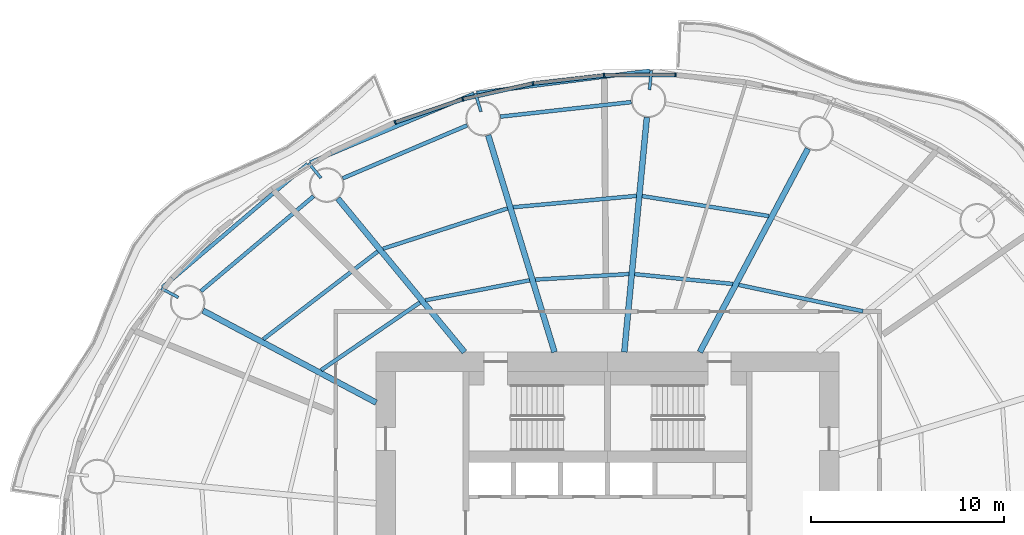
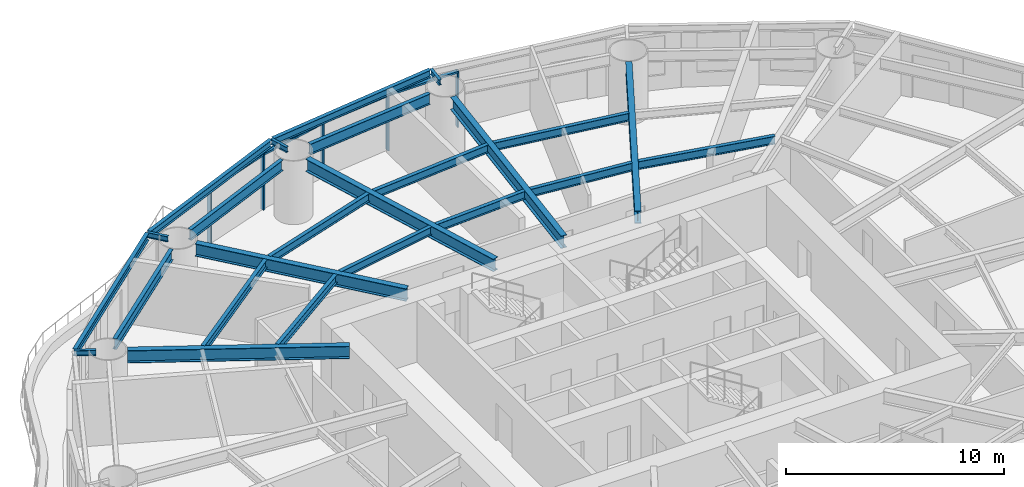
# One storey, part 5 of 16: 24 beams, 9 members, 4 elements without a shape of their own.
"""IFC4 building model written with IfcOpenShell, lengths in metres."""

from ifc_helpers import new_model, si_unit, direction, frame, origin, origin_2d, place, context, subcontext, project, spatial, rectangle, i_section, extrude, material, material_profile, profile_set, type_object, element, aggregate, save


model = new_model("IFC4")

# Units and contexts
model_context = context("Model", 3, precision=1e-05, world=origin(), true_north=direction((0.0, 1.0)))
body_context = subcontext(model_context, "Body", "Model", "MODEL_VIEW")
ifc_project = project(units=[si_unit("LENGTHUNIT", "METRE"), si_unit("AREAUNIT", "SQUARE_METRE"), si_unit("VOLUMEUNIT", "CUBIC_METRE"), si_unit("PLANEANGLEUNIT", "RADIAN"), si_unit("MASSUNIT", "GRAM", prefix="KILO")], contexts=[model_context])

# Site, building, storey
site_placement = place(None, origin())
site = spatial("IfcSite", under=ifc_project, at=site_placement, CompositionType="ELEMENT")
building_placement = place(site_placement, origin())
building = spatial("IfcBuilding", under=site, at=building_placement, Name="Vermilion Reach Broadcast Tower", CompositionType="ELEMENT")
storey_placement = place(building_placement, frame((0.0, 0.0, 73.0)))
storey = spatial("IfcBuildingStorey", under=building, at=storey_placement, Name="L15", CompositionType="ELEMENT", Elevation=73.0)

# Beams
ifc_material_1 = material(Name="Steel S355J2", Category="steel")
ifc_material_profile_1 = material_profile(ifc_material_1, i_section(OverallWidth=0.199951171875, OverallDepth=0.39990234375, WebThickness=0.008056640625, FlangeThickness=0.012939453125, at=origin_2d()), Name="S355J2 HN 400x200x8x13")
ifc_profile_set_1 = profile_set([ifc_material_profile_1], Name="Steel S355J2")
beam_type_1 = type_object("IfcBeamType", Name="EB1 HN 400x200x8x13", PredefinedType="BEAM", material=ifc_profile_set_1)
beam_1_placement = place(storey_placement, frame((-3.80810546875, 23.58837890625, 3.35009765625), z_axis=(-0.991822756074, -0.127622962412, 0.0), x_axis=(0.127622962412, -0.991822756074, 0.0)))
element("IfcBeam", 1, at=beam_1_placement, inside=storey, type_object=beam_type_1, Name="Edge beam EB1-04", PredefinedType="BEAM", context=body_context, shape_type="SweptSolid", body=[
    extrude(i_section(OverallWidth=0.199951171875, OverallDepth=0.39990234375, WebThickness=0.008056640625, FlangeThickness=0.012939453125, at=origin_2d()), origin(), (0.0, 0.0, 1.0), 9.05029296875),
])
beam_2_placement = place(storey_placement, frame((-12.929443359375, 22.39453125, 3.35009765625), z_axis=(-0.922099891015, -0.386951923357, 0.0), x_axis=(0.386951923357, -0.922099891015, 0.0)))
element("IfcBeam", 2, at=beam_2_placement, inside=storey, type_object=beam_type_1, Name="Edge beam EB1-05", PredefinedType="BEAM", context=body_context, shape_type="SweptSolid", body=[
    extrude(i_section(OverallWidth=0.199951171875, OverallDepth=0.39990234375, WebThickness=0.008056640625, FlangeThickness=0.012939453125, at=origin_2d()), origin(), (0.0, 0.0, 1.0), 9.21728515625),
])
beam_3_placement = place(storey_placement, frame((-21.55810546875, 18.7490234375, 3.35009765625), z_axis=(-0.762190525664, -0.647352765182, 0.0), x_axis=(0.647352765182, -0.762190525664, 0.0)))
element("IfcBeam", 3, at=beam_3_placement, inside=storey, type_object=beam_type_1, Name="Edge beam EB1-06", PredefinedType="BEAM", context=body_context, shape_type="SweptSolid", body=[
    extrude(i_section(OverallWidth=0.199951171875, OverallDepth=0.39990234375, WebThickness=0.008056640625, FlangeThickness=0.012939453125, at=origin_2d()), origin(), (0.0, 0.0, 1.0), 9.877197265625),
])
ifc_material_2 = material(Name="Steel S355J2", Category="steel")
ifc_material_profile_2 = material_profile(ifc_material_2, i_section(OverallWidth=0.300048828125, OverallDepth=0.699951171875, WebThickness=0.012939453125, FlangeThickness=0.02392578125, at=origin_2d()), Name="S355J2 HN 700x300x13x24")
ifc_profile_set_2 = profile_set([ifc_material_profile_2], Name="Steel S355J2")
beam_type_2 = type_object("IfcBeamType", Name="G1 HN 700x300x13x24", PredefinedType="BEAM", material=ifc_profile_set_2)
beam_4_placement = place(storey_placement, frame((-1.216552734375, 9.0, 3.199951171875), z_axis=(0.469312182262, 0.883032318537, 0.0), x_axis=(-0.883032318537, 0.469312182262, 0.0)))
element("IfcBeam", 4, at=beam_4_placement, inside=storey, type_object=beam_type_2, Name="Girder G1-03", PredefinedType="BEAM", context=body_context, shape_type="SweptSolid", body=[
    extrude(i_section(OverallWidth=0.300048828125, OverallDepth=0.699951171875, WebThickness=0.012939453125, FlangeThickness=0.02392578125, at=origin_2d()), origin(), (0.0, 0.0, 1.0), 11.94091796875),
])
beam_5_placement = place(storey_placement, frame((-5.135009765625, 9.0, 3.199951171875), z_axis=(0.09566673912, 0.995413419151, 0.0), x_axis=(-0.995413419151, 0.09566673912, 0.0)))
element("IfcBeam", 5, at=beam_5_placement, inside=storey, type_object=beam_type_2, Name="Girder G1-04", PredefinedType="BEAM", context=body_context, shape_type="SweptSolid", body=[
    extrude(i_section(OverallWidth=0.300048828125, OverallDepth=0.699951171875, WebThickness=0.012939453125, FlangeThickness=0.02392578125, at=origin_2d()), origin(), (0.0, 0.0, 1.0), 12.22412109375),
])
beam_6_placement = place(storey_placement, frame((-8.753173828125, 9.0, 3.199951171875), z_axis=(-0.292542302886, 0.95625258223, 0.0), x_axis=(-0.95625258223, -0.292542302886, 0.0)))
element("IfcBeam", 6, at=beam_6_placement, inside=storey, type_object=beam_type_2, Name="Girder G1-05", PredefinedType="BEAM", context=body_context, shape_type="SweptSolid", body=[
    extrude(i_section(OverallWidth=0.300048828125, OverallDepth=0.699951171875, WebThickness=0.012939453125, FlangeThickness=0.02392578125, at=origin_2d()), origin(), (0.0, 0.0, 1.0), 11.76220703125),
])
beam_7_placement = place(storey_placement, frame((-13.421630859375, 9.0, 3.199951171875), z_axis=(-0.636215165107, 0.77151167437, 0.0), x_axis=(-0.77151167437, -0.636215165107, 0.0)))
element("IfcBeam", 7, at=beam_7_placement, inside=storey, type_object=beam_type_2, Name="Girder G1-06", PredefinedType="BEAM", context=body_context, shape_type="SweptSolid", body=[
    extrude(i_section(OverallWidth=0.300048828125, OverallDepth=0.699951171875, WebThickness=0.012939453125, FlangeThickness=0.02392578125, at=origin_2d()), origin(), (0.0, 0.0, 1.0), 10.3251953125),
])
beam_8_placement = place(storey_placement, frame((-18.0, 6.3779296875, 3.199951171875), z_axis=(-0.883032139419, 0.469312519279, 0.0), x_axis=(-0.469312519279, -0.883032139419, 0.0)))
element("IfcBeam", 8, at=beam_8_placement, inside=storey, type_object=beam_type_2, Name="Girder G1-07", PredefinedType="BEAM", context=body_context, shape_type="SweptSolid", body=[
    extrude(i_section(OverallWidth=0.300048828125, OverallDepth=0.699951171875, WebThickness=0.012939453125, FlangeThickness=0.02392578125, at=origin_2d()), origin(), (0.0, 0.0, 1.0), 10.17529296875),
])
ifc_material_3 = material(Name="Steel S355J2", Category="steel")
ifc_material_profile_3 = material_profile(ifc_material_3, i_section(OverallWidth=0.14990234375, OverallDepth=0.300048828125, WebThickness=0.006591796875, FlangeThickness=0.009033203125, at=origin_2d()), Name="S355J2 HN 300x150x6.5x9")
ifc_profile_set_3 = profile_set([ifc_material_profile_3], Name="Steel S355J2")
beam_type_3 = type_object("IfcBeamType", Name="GS1 HN 300x150x6.5x9", PredefinedType="BEAM", material=ifc_profile_set_3)
beam_9_placement = place(storey_placement, frame((-3.82763671875, 22.602783203125, 3.39990234375), z_axis=(0.095707754417, 0.995409476419, 0.0), x_axis=(-0.995409476419, 0.095707754417, 0.0)))
element("IfcBeam", 9, at=beam_9_placement, inside=storey, type_object=beam_type_3, Name="Cantilever stub GS1-04", PredefinedType="BEAM", context=body_context, shape_type="SweptSolid", body=[
    extrude(i_section(OverallWidth=0.14990234375, OverallDepth=0.300048828125, WebThickness=0.006591796875, FlangeThickness=0.009033203125, at=origin_2d()), origin(), (0.0, 0.0, 1.0), 1.0),
])
beam_10_placement = place(storey_placement, frame((-12.5673828125, 21.467529296875, 3.39990234375), z_axis=(-0.292541120261, 0.956252944025, 0.0), x_axis=(-0.956252944025, -0.292541120261, 0.0)))
element("IfcBeam", 10, at=beam_10_placement, inside=storey, type_object=beam_type_3, Name="Cantilever stub GS1-05", PredefinedType="BEAM", context=body_context, shape_type="SweptSolid", body=[
    extrude(i_section(OverallWidth=0.14990234375, OverallDepth=0.300048828125, WebThickness=0.006591796875, FlangeThickness=0.009033203125, at=origin_2d()), origin(), (0.0, 0.0, 1.0), 0.999755859375),
])
beam_11_placement = place(storey_placement, frame((-20.86474609375, 18.02587890625, 3.39990234375), z_axis=(-0.636117850493, 0.77159191305, 0.0), x_axis=(-0.77159191305, -0.636117850493, 0.0)))
element("IfcBeam", 11, at=beam_11_placement, inside=storey, type_object=beam_type_3, Name="Cantilever stub GS1-06", PredefinedType="BEAM", context=body_context, shape_type="SweptSolid", body=[
    extrude(i_section(OverallWidth=0.14990234375, OverallDepth=0.300048828125, WebThickness=0.006591796875, FlangeThickness=0.009033203125, at=origin_2d()), origin(), (0.0, 0.0, 1.0), 1.000244140625),
])
beam_12_placement = place(storey_placement, frame((-28.264892578125, 11.83349609375, 3.39990234375), z_axis=(-0.883068299348, 0.469244476458, 0.0), x_axis=(-0.469244476458, -0.883068299348, 0.0)))
element("IfcBeam", 12, at=beam_12_placement, inside=storey, type_object=beam_type_3, Name="Cantilever stub GS1-07", PredefinedType="BEAM", context=body_context, shape_type="SweptSolid", body=[
    extrude(i_section(OverallWidth=0.14990234375, OverallDepth=0.300048828125, WebThickness=0.006591796875, FlangeThickness=0.009033203125, at=origin_2d()), origin(), (0.0, 0.0, 1.0), 1.0),
])
ifc_material_4 = material(Name="Steel S355J2", Category="steel")
ifc_material_profile_4 = material_profile(ifc_material_4, i_section(OverallWidth=0.199951171875, OverallDepth=0.60009765625, WebThickness=0.010986328125, FlangeThickness=0.01708984375, at=origin_2d()), Name="S355J2 HN 600x200x11x17")
ifc_profile_set_4 = profile_set([ifc_material_profile_4], Name="Steel S355J2")
beam_type_4 = type_object("IfcBeamType", Name="RB1 HN 600x200x11x17", PredefinedType="BEAM", material=ifc_profile_set_4)
beam_13_placement = place(storey_placement, frame((-4.77392578125, 21.964111328125, 3.25), z_axis=(-0.993851439324, -0.110721798009, 0.0), x_axis=(0.110721798009, -0.993851439324, 0.0)))
element("IfcBeam", 13, at=beam_13_placement, inside=storey, type_object=beam_type_4, Name="Ring beam RB1-04", PredefinedType="BEAM", context=body_context, shape_type="SweptSolid", body=[
    extrude(i_section(OverallWidth=0.199951171875, OverallDepth=0.60009765625, WebThickness=0.010986328125, FlangeThickness=0.01708984375, at=origin_2d()), origin(), (0.0, 0.0, 1.0), 6.8310546875),
])
beam_14_placement = place(storey_placement, frame((-13.28564453125, 20.755859375, 3.25), z_axis=(-0.920220846584, -0.391399531825, 0.0), x_axis=(0.391399531825, -0.920220846584, 0.0)))
element("IfcBeam", 14, at=beam_14_placement, inside=storey, type_object=beam_type_4, Name="Ring beam RB1-05", PredefinedType="BEAM", context=body_context, shape_type="SweptSolid", body=[
    extrude(i_section(OverallWidth=0.199951171875, OverallDepth=0.60009765625, WebThickness=0.010986328125, FlangeThickness=0.01708984375, at=origin_2d()), origin(), (0.0, 0.0, 1.0), 7.008544921875),
])
beam_15_placement = place(storey_placement, frame((-21.251220703125, 17.080322265625, 3.25), z_axis=(-0.764512441084, -0.6446089725, 0.0), x_axis=(0.6446089725, -0.764512441084, 0.0)))
element("IfcBeam", 15, at=beam_15_placement, inside=storey, type_object=beam_type_4, Name="Ring beam RB1-06", PredefinedType="BEAM", context=body_context, shape_type="SweptSolid", body=[
    extrude(i_section(OverallWidth=0.199951171875, OverallDepth=0.60009765625, WebThickness=0.010986328125, FlangeThickness=0.01708984375, at=origin_2d()), origin(), (0.0, 0.0, 1.0), 7.6396484375),
])
ifc_material_5 = material(Name="Steel S355J2", Category="steel")
ifc_material_profile_5 = material_profile(ifc_material_5, i_section(OverallWidth=0.199951171875, OverallDepth=0.449951171875, WebThickness=0.009033203125, FlangeThickness=0.013916015625, at=origin_2d()), Name="S355J2 HN 450x200x9x14")
ifc_profile_set_5 = profile_set([ifc_material_profile_5], Name="Steel S355J2")
beam_type_5 = type_object("IfcBeamType", Name="SB1 HN 450x200x9x14", PredefinedType="BEAM", material=ifc_profile_set_5)
beam_16_placement = place(storey_placement, frame((7.24560546875, 11.1171875, 3.324951171875), z_axis=(-0.978270372412, 0.207333254596, 0.0), x_axis=(-0.207333254596, -0.978270372412, 0.0)))
element("IfcBeam", 16, at=beam_16_placement, inside=storey, type_object=beam_type_5, Name="Secondary beam SB1-02-1", PredefinedType="BEAM", context=body_context, shape_type="SweptSolid", body=[
    extrude(i_section(OverallWidth=0.199951171875, OverallDepth=0.449951171875, WebThickness=0.009033203125, FlangeThickness=0.013916015625, at=origin_2d()), origin(), (0.0, 0.0, 1.0), 6.584716796875),
])
beam_17_placement = place(storey_placement, frame((0.490234375, 12.531005859375, 3.324951171875), z_axis=(-0.995010199331, 0.099773259079, 0.0), x_axis=(-0.099773259079, -0.995010199331, 0.0)))
element("IfcBeam", 17, at=beam_17_placement, inside=storey, type_object=beam_type_5, Name="Secondary beam SB1-03-1", PredefinedType="BEAM", context=body_context, shape_type="SweptSolid", body=[
    extrude(i_section(OverallWidth=0.199951171875, OverallDepth=0.449951171875, WebThickness=0.009033203125, FlangeThickness=0.013916015625, at=origin_2d()), origin(), (0.0, 0.0, 1.0), 5.111572265625),
])
beam_18_placement = place(storey_placement, frame((2.36279296875, 16.05419921875, 3.324951171875), z_axis=(-0.987829548379, 0.155540294938, 0.0), x_axis=(-0.155540294938, -0.987829548379, 0.0)))
element("IfcBeam", 18, at=beam_18_placement, inside=storey, type_object=beam_type_5, Name="Secondary beam SB1-03-2", PredefinedType="BEAM", context=body_context, shape_type="SweptSolid", body=[
    extrude(i_section(OverallWidth=0.199951171875, OverallDepth=0.449951171875, WebThickness=0.009033203125, FlangeThickness=0.013916015625, at=origin_2d()), origin(), (0.0, 0.0, 1.0), 6.650634765625),
])
beam_19_placement = place(storey_placement, frame((-4.896728515625, 13.046875, 3.324951171875), z_axis=(-0.99823410974, -0.059402543307, 0.0), x_axis=(0.059402543307, -0.99823410974, 0.0)))
element("IfcBeam", 19, at=beam_19_placement, inside=storey, type_object=beam_type_5, Name="Secondary beam SB1-04-1", PredefinedType="BEAM", context=body_context, shape_type="SweptSolid", body=[
    extrude(i_section(OverallWidth=0.199951171875, OverallDepth=0.449951171875, WebThickness=0.009033203125, FlangeThickness=0.013916015625, at=origin_2d()), origin(), (0.0, 0.0, 1.0), 4.85791015625),
])
beam_20_placement = place(storey_placement, frame((-4.50732421875, 17.09814453125, 3.324951171875), z_axis=(-0.995818616382, -0.091352521952, 0.0), x_axis=(0.091352521952, -0.995818616382, 0.0)))
element("IfcBeam", 20, at=beam_20_placement, inside=storey, type_object=beam_type_5, Name="Secondary beam SB1-04-2", PredefinedType="BEAM", context=body_context, shape_type="SweptSolid", body=[
    extrude(i_section(OverallWidth=0.199951171875, OverallDepth=0.449951171875, WebThickness=0.009033203125, FlangeThickness=0.013916015625, at=origin_2d()), origin(), (0.0, 0.0, 1.0), 6.4140625),
])
beam_21_placement = place(storey_placement, frame((-10.04833984375, 12.720703125, 3.324951171875), z_axis=(-0.982151348822, -0.188092339045, 0.0), x_axis=(0.188092339045, -0.982151348822, 0.0)))
element("IfcBeam", 21, at=beam_21_placement, inside=storey, type_object=beam_type_5, Name="Secondary beam SB1-05-1", PredefinedType="BEAM", context=body_context, shape_type="SweptSolid", body=[
    extrude(i_section(OverallWidth=0.199951171875, OverallDepth=0.449951171875, WebThickness=0.009033203125, FlangeThickness=0.013916015625, at=origin_2d()), origin(), (0.0, 0.0, 1.0), 5.4931640625),
])
beam_22_placement = place(storey_placement, frame((-11.18994140625, 16.4521484375, 3.324951171875), z_axis=(-0.951332300844, -0.308166924523, 0.0), x_axis=(0.308166924523, -0.951332300844, 0.0)))
element("IfcBeam", 22, at=beam_22_placement, inside=storey, type_object=beam_type_5, Name="Secondary beam SB1-05-2", PredefinedType="BEAM", context=body_context, shape_type="SweptSolid", body=[
    extrude(i_section(OverallWidth=0.199951171875, OverallDepth=0.449951171875, WebThickness=0.009033203125, FlangeThickness=0.013916015625, at=origin_2d()), origin(), (0.0, 0.0, 1.0), 6.787841796875),
])
beam_23_placement = place(storey_placement, frame((-15.735595703125, 11.5703125, 3.324951171875), z_axis=(-0.825140253447, -0.564927926502, 0.0), x_axis=(0.564927926502, -0.825140253447, 0.0)))
element("IfcBeam", 23, at=beam_23_placement, inside=storey, type_object=beam_type_5, Name="Secondary beam SB1-06-1", PredefinedType="BEAM", context=body_context, shape_type="SweptSolid", body=[
    extrude(i_section(OverallWidth=0.199951171875, OverallDepth=0.449951171875, WebThickness=0.009033203125, FlangeThickness=0.013916015625, at=origin_2d()), origin(), (0.0, 0.0, 1.0), 6.20458984375),
])
beam_24_placement = place(storey_placement, frame((-17.920166015625, 14.21923828125, 3.324951171875), z_axis=(-0.793349617473, -0.60876628065, 0.0), x_axis=(0.60876628065, -0.793349617473, 0.0)))
element("IfcBeam", 24, at=beam_24_placement, inside=storey, type_object=beam_type_5, Name="Secondary beam SB1-06-2", PredefinedType="BEAM", context=body_context, shape_type="SweptSolid", body=[
    extrude(i_section(OverallWidth=0.199951171875, OverallDepth=0.449951171875, WebThickness=0.009033203125, FlangeThickness=0.013916015625, at=origin_2d()), origin(), (0.0, 0.0, 1.0), 7.486328125),
])

# Curtain wall, member
ifc_material_6 = material(Name="Low-e laminated clear glass in aluminium frame", Category="aluminium")
curtain_wall_type = type_object("IfcCurtainWallType", Name="Slot curtain wall", PredefinedType="NOTDEFINED", material=ifc_material_6)
placement = place(storey_placement, origin())
curtain_wall_1 = element("IfcCurtainWall", 25, at=placement, inside=storey, type_object=curtain_wall_type, Name="Slot curtain wall L15 10", PredefinedType="NOTDEFINED")
ifc_material_7 = material(Name="Anodised aluminium", Category="aluminium")
ifc_material_profile_6 = material_profile(ifc_material_7, rectangle(XDim=0.199951171875, YDim=0.080078125, at=origin_2d()), Name="Slot mullion 80 x 200")
ifc_profile_set_6 = profile_set([ifc_material_profile_6], Name="Anodised aluminium")
member_type_1 = type_object("IfcMemberType", Name="Slot mullion 80 x 200", PredefinedType="MULLION", material=ifc_profile_set_6)
member_1_placement = place(storey_placement, frame((-2.4736328125, 23.372314453125, 0.0), z_axis=(0.0, 0.0, 1.0), x_axis=(-0.048867163213, -0.99880528651, 0.0)))
member_1 = element("IfcMember", 26, at=member_1_placement, type_object=member_type_1, Name="Slot mullion L15 10", PredefinedType="MULLION", context=body_context, shape_type="SweptSolid", body=[
    extrude(rectangle(XDim=0.199951171875, YDim=0.080078125, at=origin_2d()), origin(), (0.0, 0.0, 1.0), 3.14990234375),
])

curtain_wall_2 = element("IfcCurtainWall", 27, at=placement, inside=storey, type_object=curtain_wall_type, Name="Slot curtain wall L15 11", PredefinedType="NOTDEFINED")
member_2_placement = place(storey_placement, frame((-6.17724609375, 23.350341796875, 0.0), z_axis=(0.0, 0.0, 1.0), x_axis=(0.059899967374, -0.998204384837, 0.0)))
member_2 = element("IfcMember", 28, at=member_2_placement, type_object=member_type_1, Name="Slot mullion L15 11", PredefinedType="MULLION", context=body_context, shape_type="SweptSolid", body=[
    extrude(rectangle(XDim=0.199951171875, YDim=0.080078125, at=origin_2d()), origin(), (0.0, 0.0, 1.0), 3.14990234375),
])

curtain_wall_3 = element("IfcCurtainWall", 29, at=placement, inside=storey, type_object=curtain_wall_type, Name="Slot curtain wall L15 12", PredefinedType="NOTDEFINED")
member_3_placement = place(storey_placement, frame((-9.877685546875, 22.927001953125, 0.0), z_axis=(0.0, 0.0, 1.0), x_axis=(0.166768650518, -0.985996053341, 0.0)))
member_3 = element("IfcMember", 30, at=member_3_placement, type_object=member_type_1, Name="Slot mullion L15 12", PredefinedType="MULLION", context=body_context, shape_type="SweptSolid", body=[
    extrude(rectangle(XDim=0.199951171875, YDim=0.080078125, at=origin_2d()), origin(), (0.0, 0.0, 1.0), 3.14990234375),
])

# Curtain wall, members
curtain_wall_4 = element("IfcCurtainWall", 31, at=placement, inside=storey, type_object=curtain_wall_type, Name="Slot curtain wall L15 13", PredefinedType="NOTDEFINED")
member_4_placement = place(storey_placement, frame((-13.51171875, 22.109619140625, 0.0), z_axis=(0.0, 0.0, 1.0), x_axis=(0.271708097742, -0.962379711767, 0.0)))
member_4 = element("IfcMember", 32, at=member_4_placement, type_object=member_type_1, Name="Slot mullion L15 13", PredefinedType="MULLION", context=body_context, shape_type="SweptSolid", body=[
    extrude(rectangle(XDim=0.199951171875, YDim=0.080078125, at=origin_2d()), origin(), (0.0, 0.0, 1.0), 3.14990234375),
])
member_5_placement = place(storey_placement, frame((-17.0166015625, 20.91259765625, 0.0), z_axis=(0.0, 0.0, 1.0), x_axis=(0.374622837263, -0.927177291461, 0.0)))
member_5 = element("IfcMember", 33, at=member_5_placement, type_object=member_type_1, Name="Slot mullion L15 14", PredefinedType="MULLION", context=body_context, shape_type="SweptSolid", body=[
    extrude(rectangle(XDim=0.199951171875, YDim=0.080078125, at=origin_2d()), origin(), (0.0, 0.0, 1.0), 3.14990234375),
])

# Member
ifc_material_8 = material(Name="Anodised aluminium", Category="aluminium")
ifc_material_profile_7 = material_profile(ifc_material_8, rectangle(XDim=0.199951171875, YDim=0.10009765625, at=origin_2d()), Name="Slot transom 200 x 100")
ifc_profile_set_7 = profile_set([ifc_material_profile_7], Name="Anodised aluminium")
member_type_2 = type_object("IfcMemberType", Name="Slot transom 200 x 100", PredefinedType="USERDEFINED", material=ifc_profile_set_7)
member_6_placement = place(storey_placement, frame((-2.513671875, 23.3720703125, 3.10009765625), z_axis=(-0.999982423231, -0.00592901585, 0.0), x_axis=(0.00592901585, -0.999982423231, 0.0)))
member_6 = element("IfcMember", 34, at=member_6_placement, type_object=member_type_2, Name="Slot transom L15 10.1", ObjectType="TRANSOM", PredefinedType="USERDEFINED", context=body_context, shape_type="SweptSolid", body=[
    extrude(rectangle(XDim=0.199951171875, YDim=0.10009765625, at=origin_2d()), origin(), (0.0, 0.0, 1.0), 3.62353515625),
])

aggregate(curtain_wall_1, [member_1, member_6])

member_7_placement = place(storey_placement, frame((-6.216796875, 23.345703125, 3.10009765625), z_axis=(-0.993519064368, -0.113665600501, 0.0), x_axis=(0.113665600501, -0.993519064368, 0.0)))
member_7 = element("IfcMember", 35, at=member_7_placement, type_object=member_type_2, Name="Slot transom L15 11.1", ObjectType="TRANSOM", PredefinedType="USERDEFINED", context=body_context, shape_type="SweptSolid", body=[
    extrude(rectangle(XDim=0.199951171875, YDim=0.10009765625, at=origin_2d()), origin(), (0.0, 0.0, 1.0), 3.64501953125),
])

aggregate(curtain_wall_2, [member_2, member_7])

member_8_placement = place(storey_placement, frame((-9.916748046875, 22.918212890625, 3.10009765625), z_axis=(-0.975629117101, -0.219426128493, 0.0), x_axis=(0.219426128493, -0.975629117101, 0.0)))
member_8 = element("IfcMember", 36, at=member_8_placement, type_object=member_type_2, Name="Slot transom L15 12.1", ObjectType="TRANSOM", PredefinedType="USERDEFINED", context=body_context, shape_type="SweptSolid", body=[
    extrude(rectangle(XDim=0.199951171875, YDim=0.10009765625, at=origin_2d()), origin(), (0.0, 0.0, 1.0), 3.64501953125),
])

aggregate(curtain_wall_3, [member_3, member_8])

member_9_placement = place(storey_placement, frame((-13.549560546875, 22.0966796875, 3.10009765625), z_axis=(-0.946333271591, -0.323192418042, 0.0), x_axis=(0.323192418042, -0.946333271591, 0.0)))
member_9 = element("IfcMember", 37, at=member_9_placement, type_object=member_type_2, Name="Slot transom L15 13.1", ObjectType="TRANSOM", PredefinedType="USERDEFINED", context=body_context, shape_type="SweptSolid", body=[
    extrude(rectangle(XDim=0.199951171875, YDim=0.10009765625, at=origin_2d()), origin(), (0.0, 0.0, 1.0), 3.623779296875),
])

aggregate(curtain_wall_4, [member_4, member_5, member_9])

save(model, "model.ifc")
